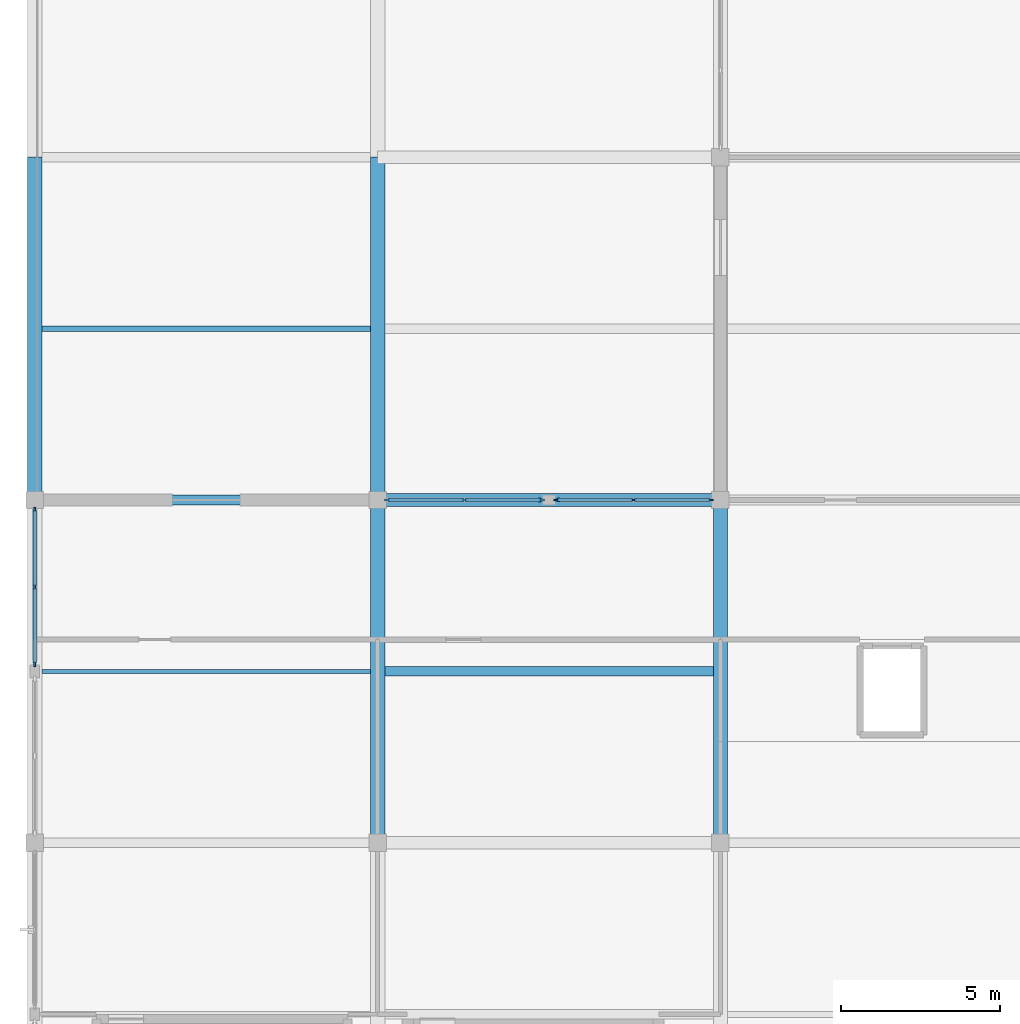
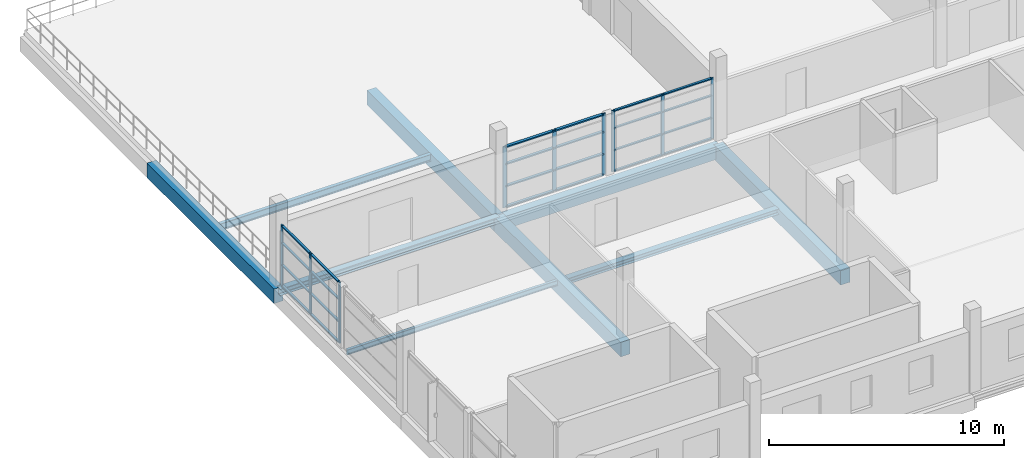
# One storey, part 4 of 15: 33 members, 9 beams, 3 elements without a shape of their own.
"""IFC4 building model written with IfcOpenShell, lengths in metres."""

from ifc_helpers import new_model, si_unit, direction, frame, origin, origin_2d, place, context, subcontext, project, spatial, rectangle, i_section, extrude, material, material_profile, profile_set, type_object, element, aggregate, save


model = new_model("IFC4")

# Units and contexts
model_context = context("Model", 3, precision=1e-05, world=origin(), true_north=direction((0.0, 1.0)))
body_context = subcontext(model_context, "Body", "Model", "MODEL_VIEW")
ifc_project = project(units=[si_unit("LENGTHUNIT", "METRE"), si_unit("AREAUNIT", "SQUARE_METRE"), si_unit("VOLUMEUNIT", "CUBIC_METRE"), si_unit("PLANEANGLEUNIT", "RADIAN"), si_unit("MASSUNIT", "GRAM", prefix="KILO")], contexts=[model_context])

# Site, building, storey
site_placement = place(None, origin())
site = spatial("IfcSite", under=ifc_project, at=site_placement, CompositionType="ELEMENT")
building_placement = place(site_placement, origin())
building = spatial("IfcBuilding", under=site, at=building_placement, Name="Zwinboog Wholesale Market", CompositionType="ELEMENT")
storey_placement = place(building_placement, frame((0.0, 0.0, 14.760009765625)))
storey = spatial("IfcBuildingStorey", under=building, at=storey_placement, Name="L03", CompositionType="ELEMENT", Elevation=14.760009765625)

# Beams
ifc_material_1 = material(Name="Precast concrete C45/55", Category="concrete")
ifc_material_profile_1 = material_profile(ifc_material_1, rectangle(XDim=0.449951171875, YDim=0.75, at=origin_2d()), Name="PC 450x750")
ifc_profile_set_1 = profile_set([ifc_material_profile_1], Name="Precast concrete C45/55")
beam_type_1 = type_object("IfcBeamType", Name="BT-04", PredefinedType="BEAM", material=ifc_profile_set_1)
for number, where, z_axis, x_axis, name in (
    (1, (140.39990234375, 10.800048828125, -0.6669921875), (0.0, 1.0, 0.0), (-1.0, 0.0, 0.0), "BG-04 (BMG-L03-1404-0108-1028)"),
    (2, (151.199951171875, 10.800048828125, -0.722900390625), (0.0, 1.0, 0.0), (-1.0, 0.0, 0.0), "BG-04 (BMG-L03-1512-0108-1030)"),
):
    element("IfcBeam", number, at=place(storey_placement, frame(where, z_axis=z_axis, x_axis=x_axis)), inside=storey, type_object=beam_type_1, Name=name, PredefinedType="BEAM", context=body_context, shape_type="SweptSolid", body=[
        extrude(rectangle(XDim=0.449951171875, YDim=0.75, at=origin_2d()), origin(), (0.0, 0.0, 1.0), 10.800048828125),
    ])
for number, where, z_axis, x_axis, name in (
    (3, (129.60009765625, 21.60009765625, -0.6669921875), (0.0, 1.0, 0.0), (-1.0, 0.0, 0.0), "BG-04 (BM-TER-L03-0213)"),
    (4, (140.39990234375, 21.60009765625, -0.6669921875), (0.0, 1.0, 0.0), (-1.0, 0.0, 0.0), "BG-04 (BM-TER-L03-0215)"),
):
    element("IfcBeam", number, at=place(storey_placement, frame(where, z_axis=z_axis, x_axis=x_axis)), inside=storey, type_object=beam_type_1, Name=name, PredefinedType="BEAM", context=body_context, shape_type="SweptSolid", body=[
        extrude(rectangle(XDim=0.449951171875, YDim=0.75, at=origin_2d()), origin(), (0.0, 0.0, 1.0), 10.7998046875),
    ])
ifc_material_profile_2 = material_profile(ifc_material_1, rectangle(XDim=0.39990234375, YDim=0.64990234375, at=origin_2d()), Name="PC 400x650")
ifc_profile_set_2 = profile_set([ifc_material_profile_2], Name="Precast concrete C45/55")
beam_type_2 = type_object("IfcBeamType", Name="BT-05", PredefinedType="BEAM", material=ifc_profile_set_2)
beam_1_placement = place(storey_placement, frame((140.39990234375, 21.60009765625, -0.673095703125), z_axis=(1.0, 0.0, 0.0), x_axis=(0.0, 1.0, 0.0)))
element("IfcBeam", 5, at=beam_1_placement, inside=storey, type_object=beam_type_2, Name="BG-05 (BMG-L03-1404-0216-1018)", PredefinedType="BEAM", context=body_context, shape_type="SweptSolid", body=[
    extrude(rectangle(XDim=0.39990234375, YDim=0.64990234375, at=origin_2d()), origin(), (0.0, 0.0, 1.0), 10.800048828125),
])
ifc_material_2 = material(Name="Steel S355", Category="steel")
ifc_material_profile_3 = material_profile(ifc_material_2, i_section(OverallWidth=0.300048828125, OverallDepth=0.340087890625, WebThickness=0.011962890625, FlangeThickness=0.021484375, FilletRadius=0.027099609375, at=origin_2d()), Name="HEB 340")
ifc_profile_set_3 = profile_set([ifc_material_profile_3], Name="Steel S355")
beam_type_3 = type_object("IfcBeamType", Name="BT-16", PredefinedType="BEAM", material=ifc_profile_set_3)
beam_2_placement = place(storey_placement, frame((129.60009765625, 21.60009765625, -0.4619140625), z_axis=(1.0, 0.0, 0.0), x_axis=(0.0, 1.0, 0.0)))
element("IfcBeam", 6, at=beam_2_placement, inside=storey, type_object=beam_type_3, Name="SB-03 (BMG-L03-1296-0216-1017)", PredefinedType="BEAM", context=body_context, shape_type="SweptSolid", body=[
    extrude(i_section(OverallWidth=0.300048828125, OverallDepth=0.340087890625, WebThickness=0.011962890625, FlangeThickness=0.021484375, FilletRadius=0.027099609375, at=origin_2d()), origin(), (0.0, 0.0, 1.0), 10.7998046875),
])
ifc_material_profile_4 = material_profile(ifc_material_2, i_section(OverallWidth=0.300048828125, OverallDepth=0.2900390625, WebThickness=0.008544921875, FlangeThickness=0.013916015625, FilletRadius=0.027099609375, at=origin_2d()), Name="HEA 300")
ifc_profile_set_4 = profile_set([ifc_material_profile_4], Name="Steel S355")
beam_type_4 = type_object("IfcBeamType", Name="BT-18", PredefinedType="JOIST", material=ifc_profile_set_4)
beam_3_placement = place(storey_placement, frame((140.625, 16.199951171875, -0.462890625), z_axis=(1.0, 0.0, 0.0), x_axis=(0.0, 1.0, 0.0)))
element("IfcBeam", 7, at=beam_3_placement, inside=storey, type_object=beam_type_4, Name="SJ-01 (BMG-L03-1406-0162-1044)", PredefinedType="JOIST", context=body_context, shape_type="SweptSolid", body=[
    extrude(i_section(OverallWidth=0.300048828125, OverallDepth=0.2900390625, WebThickness=0.008544921875, FlangeThickness=0.013916015625, FilletRadius=0.027099609375, at=origin_2d()), origin(), (0.0, 0.0, 1.0), 10.35009765625),
])
ifc_material_profile_5 = material_profile(ifc_material_2, i_section(OverallWidth=0.169921875, OverallDepth=0.360107421875, WebThickness=0.008056640625, FlangeThickness=0.0126953125, FilletRadius=0.01806640625, at=origin_2d()), Name="IPE 360")
ifc_profile_set_5 = profile_set([ifc_material_profile_5], Name="Steel S355")
beam_type_5 = type_object("IfcBeamType", Name="BT-20", PredefinedType="JOIST", material=ifc_profile_set_5)
beam_4_placement = place(storey_placement, frame((129.824951171875, 27.0, -0.466064453125), z_axis=(1.0, 0.0, 0.0), x_axis=(0.0, 1.0, 0.0)))
element("IfcBeam", 8, at=beam_4_placement, inside=storey, type_object=beam_type_5, Name="SJ-03 (BM-TER-L03-0217)", PredefinedType="JOIST", context=body_context, shape_type="SweptSolid", body=[
    extrude(i_section(OverallWidth=0.169921875, OverallDepth=0.360107421875, WebThickness=0.008056640625, FlangeThickness=0.0126953125, FilletRadius=0.01806640625, at=origin_2d()), origin(), (0.0, 0.0, 1.0), 10.35009765625),
])
ifc_material_profile_6 = material_profile(ifc_material_2, i_section(OverallWidth=0.135009765625, OverallDepth=0.27001953125, WebThickness=0.006591796875, FlangeThickness=0.01025390625, FilletRadius=0.014892578125, at=origin_2d()), Name="IPE 270")
ifc_profile_set_6 = profile_set([ifc_material_profile_6], Name="Steel S355")
beam_type_6 = type_object("IfcBeamType", Name="BT-21", PredefinedType="JOIST", material=ifc_profile_set_6)
beam_5_placement = place(storey_placement, frame((129.824951171875, 16.199951171875, -0.427001953125), z_axis=(1.0, 0.0, 0.0), x_axis=(0.0, 1.0, 0.0)))
element("IfcBeam", 9, at=beam_5_placement, inside=storey, type_object=beam_type_6, Name="SJ-04 (BMG-L03-1298-0162-1042)", PredefinedType="JOIST", context=body_context, shape_type="SweptSolid", body=[
    extrude(i_section(OverallWidth=0.135009765625, OverallDepth=0.27001953125, WebThickness=0.006591796875, FlangeThickness=0.01025390625, FilletRadius=0.014892578125, at=origin_2d()), origin(), (0.0, 0.0, 1.0), 10.35009765625),
])

# Curtain wall, members
ifc_material_3 = material(Name="Aluminium thermally broken curtain wall", Category="aluminium")
curtain_wall_type_1 = type_object("IfcCurtainWallType", Name="CWT-HALL-24", PredefinedType="USERDEFINED", material=ifc_material_3)
curtain_wall_1_placement = place(storey_placement, origin())
curtain_wall_1 = element("IfcCurtainWall", 10, at=curtain_wall_1_placement, inside=storey, type_object=curtain_wall_type_1, Name="CW-03 (CW-L03-171)", ObjectType="UNITIZED_CURTAIN_WALL", PredefinedType="USERDEFINED")
ifc_material_4 = material(Name="Aluminium EN AW-6060", Category="aluminium")
ifc_material_profile_7 = material_profile(ifc_material_4, rectangle(XDim=0.06494140625, YDim=0.179931640625, at=origin_2d()), Name="AL 65x180")
ifc_profile_set_7 = profile_set([ifc_material_profile_7], Name="Aluminium EN AW-6060")
member_type_1 = type_object("IfcMemberType", Name="CWM-65x180", PredefinedType="MULLION", material=ifc_profile_set_7)
member_1_placement = place(storey_placement, frame((140.702392578125, 21.60009765625, 0.0), z_axis=(0.0, 0.0, 1.0), x_axis=(0.0, 1.0, 0.0)))
member_1 = element("IfcMember", 11, at=member_1_placement, type_object=member_type_1, Name="CW-03 mullion 1", PredefinedType="MULLION", context=body_context, shape_type="SweptSolid", body=[
    extrude(rectangle(XDim=0.06494140625, YDim=0.179931640625, at=origin_2d()), origin(), (0.0, 0.0, 1.0), 3.169921875),
])
member_2_placement = place(storey_placement, frame((143.135009765625, 21.60009765625, 0.0), z_axis=(0.0, 0.0, 1.0), x_axis=(0.0, 1.0, 0.0)))
member_2 = element("IfcMember", 12, at=member_2_placement, type_object=member_type_1, Name="CW-03 mullion 2", PredefinedType="MULLION", context=body_context, shape_type="SweptSolid", body=[
    extrude(rectangle(XDim=0.06494140625, YDim=0.179931640625, at=origin_2d()), origin(), (0.0, 0.0, 1.0), 3.169921875),
])
member_3_placement = place(storey_placement, frame((145.5673828125, 21.60009765625, 0.0), z_axis=(0.0, 0.0, 1.0), x_axis=(0.0, 1.0, 0.0)))
member_3 = element("IfcMember", 13, at=member_3_placement, type_object=member_type_1, Name="CW-03 mullion 3", PredefinedType="MULLION", context=body_context, shape_type="SweptSolid", body=[
    extrude(rectangle(XDim=0.06494140625, YDim=0.179931640625, at=origin_2d()), origin(), (0.0, 0.0, 1.0), 3.169921875),
])

curtain_wall_type_2 = type_object("IfcCurtainWallType", Name="CWT-STALL-20", PredefinedType="USERDEFINED", material=ifc_material_3)
curtain_wall_2_placement = place(storey_placement, origin())
curtain_wall_2 = element("IfcCurtainWall", 14, at=curtain_wall_2_placement, inside=storey, type_object=curtain_wall_type_2, Name="CW-02 (CW-L03-170)", ObjectType="STOREFRONT_GLAZING", PredefinedType="USERDEFINED")
ifc_material_profile_8 = material_profile(ifc_material_4, rectangle(XDim=0.06005859375, YDim=0.14990234375, at=origin_2d()), Name="AL 60x150")
ifc_profile_set_8 = profile_set([ifc_material_profile_8], Name="Aluminium EN AW-6060")
member_type_2 = type_object("IfcMemberType", Name="CWM-60x150", PredefinedType="MULLION", material=ifc_profile_set_8)
member_4_placement = place(storey_placement, frame((129.60009765625, 16.429931640625, 0.0), z_axis=(0.0, 0.0, 1.0), x_axis=(-1.0, 0.0, 0.0)))
member_4 = element("IfcMember", 15, at=member_4_placement, type_object=member_type_2, Name="CW-02 mullion 1", PredefinedType="MULLION", context=body_context, shape_type="SweptSolid", body=[
    extrude(rectangle(XDim=0.06005859375, YDim=0.14990234375, at=origin_2d()), origin(), (0.0, 0.0, 1.0), 3.169921875),
])
member_5_placement = place(storey_placement, frame((129.60009765625, 18.864990234375, 0.0), z_axis=(0.0, 0.0, 1.0), x_axis=(-1.0, 0.0, 0.0)))
member_5 = element("IfcMember", 16, at=member_5_placement, type_object=member_type_2, Name="CW-02 mullion 2", PredefinedType="MULLION", context=body_context, shape_type="SweptSolid", body=[
    extrude(rectangle(XDim=0.06005859375, YDim=0.14990234375, at=origin_2d()), origin(), (0.0, 0.0, 1.0), 3.169921875),
])
member_6_placement = place(storey_placement, frame((129.60009765625, 21.300048828125, 0.0), z_axis=(0.0, 0.0, 1.0), x_axis=(-1.0, 0.0, 0.0)))
member_6 = element("IfcMember", 17, at=member_6_placement, type_object=member_type_2, Name="CW-02 mullion 3", PredefinedType="MULLION", context=body_context, shape_type="SweptSolid", body=[
    extrude(rectangle(XDim=0.06005859375, YDim=0.14990234375, at=origin_2d()), origin(), (0.0, 0.0, 1.0), 3.169921875),
])

curtain_wall_type_3 = type_object("IfcCurtainWallType", Name="CWT-GAL-16", PredefinedType="USERDEFINED", material=ifc_material_3)
curtain_wall_3_placement = place(storey_placement, origin())
curtain_wall_3 = element("IfcCurtainWall", 18, at=curtain_wall_3_placement, inside=storey, type_object=curtain_wall_type_3, Name="CW-04 (CW-L03-172)", ObjectType="UNITIZED_CURTAIN_WALL", PredefinedType="USERDEFINED")
member_7_placement = place(storey_placement, frame((146.030029296875, 21.60009765625, 0.0), z_axis=(0.0, 0.0, 1.0), x_axis=(0.0, 1.0, 0.0)))
member_7 = element("IfcMember", 19, at=member_7_placement, type_object=member_type_2, Name="CW-04 mullion 1", PredefinedType="MULLION", context=body_context, shape_type="SweptSolid", body=[
    extrude(rectangle(XDim=0.06005859375, YDim=0.14990234375, at=origin_2d()), origin(), (0.0, 0.0, 1.0), 3.169921875),
])
member_8_placement = place(storey_placement, frame((148.465087890625, 21.60009765625, 0.0), z_axis=(0.0, 0.0, 1.0), x_axis=(0.0, 1.0, 0.0)))
member_8 = element("IfcMember", 20, at=member_8_placement, type_object=member_type_2, Name="CW-04 mullion 2", PredefinedType="MULLION", context=body_context, shape_type="SweptSolid", body=[
    extrude(rectangle(XDim=0.06005859375, YDim=0.14990234375, at=origin_2d()), origin(), (0.0, 0.0, 1.0), 3.169921875),
])
member_9_placement = place(storey_placement, frame((150.89990234375, 21.60009765625, 0.0), z_axis=(0.0, 0.0, 1.0), x_axis=(0.0, 1.0, 0.0)))
member_9 = element("IfcMember", 21, at=member_9_placement, type_object=member_type_2, Name="CW-04 mullion 3", PredefinedType="MULLION", context=body_context, shape_type="SweptSolid", body=[
    extrude(rectangle(XDim=0.06005859375, YDim=0.14990234375, at=origin_2d()), origin(), (0.0, 0.0, 1.0), 3.169921875),
])

# Member
ifc_material_profile_9 = material_profile(ifc_material_4, rectangle(XDim=0.139892578125, YDim=0.06494140625, at=origin_2d()), Name="AL 65x140")
ifc_profile_set_9 = profile_set([ifc_material_profile_9], Name="Aluminium EN AW-6060")
member_type_3 = type_object("IfcMemberType", Name="CWT-65x140", PredefinedType="USERDEFINED", material=ifc_profile_set_9)
member_10_placement = place(storey_placement, frame((140.735107421875, 21.60009765625, 0.032470703125), z_axis=(1.0, 0.0, 0.0), x_axis=(0.0, 1.0, 0.0)))
member_10 = element("IfcMember", 22, at=member_10_placement, type_object=member_type_3, Name="CW-03 transom 1.1", ObjectType="TRANSOM", PredefinedType="USERDEFINED", context=body_context, shape_type="SweptSolid", body=[
    extrude(rectangle(XDim=0.139892578125, YDim=0.06494140625, at=origin_2d()), origin(), (0.0, 0.0, 1.0), 2.367431640625),
])

member_11_placement = place(storey_placement, frame((140.735107421875, 21.60009765625, 1.10009765625), z_axis=(1.0, 0.0, 0.0), x_axis=(0.0, 1.0, 0.0)))
member_11 = element("IfcMember", 23, at=member_11_placement, type_object=member_type_3, Name="CW-03 transom 1.2", ObjectType="TRANSOM", PredefinedType="USERDEFINED", context=body_context, shape_type="SweptSolid", body=[
    extrude(rectangle(XDim=0.139892578125, YDim=0.06494140625, at=origin_2d()), origin(), (0.0, 0.0, 1.0), 2.367431640625),
])

member_12_placement = place(storey_placement, frame((140.735107421875, 21.60009765625, 2.25), z_axis=(1.0, 0.0, 0.0), x_axis=(0.0, 1.0, 0.0)))
member_12 = element("IfcMember", 24, at=member_12_placement, type_object=member_type_3, Name="CW-03 transom 1.3", ObjectType="TRANSOM", PredefinedType="USERDEFINED", context=body_context, shape_type="SweptSolid", body=[
    extrude(rectangle(XDim=0.139892578125, YDim=0.06494140625, at=origin_2d()), origin(), (0.0, 0.0, 1.0), 2.367431640625),
])

member_13_placement = place(storey_placement, frame((140.735107421875, 21.60009765625, 3.137451171875), z_axis=(1.0, 0.0, 0.0), x_axis=(0.0, 1.0, 0.0)))
member_13 = element("IfcMember", 25, at=member_13_placement, type_object=member_type_3, Name="CW-03 transom 1.4", ObjectType="TRANSOM", PredefinedType="USERDEFINED", context=body_context, shape_type="SweptSolid", body=[
    extrude(rectangle(XDim=0.139892578125, YDim=0.06494140625, at=origin_2d()), origin(), (0.0, 0.0, 1.0), 2.367431640625),
])

member_14_placement = place(storey_placement, frame((143.16748046875, 21.60009765625, 0.032470703125), z_axis=(1.0, 0.0, 0.0), x_axis=(0.0, 1.0, 0.0)))
member_14 = element("IfcMember", 26, at=member_14_placement, type_object=member_type_3, Name="CW-03 transom 2.1", ObjectType="TRANSOM", PredefinedType="USERDEFINED", context=body_context, shape_type="SweptSolid", body=[
    extrude(rectangle(XDim=0.139892578125, YDim=0.06494140625, at=origin_2d()), origin(), (0.0, 0.0, 1.0), 2.367431640625),
])

member_15_placement = place(storey_placement, frame((143.16748046875, 21.60009765625, 1.10009765625), z_axis=(1.0, 0.0, 0.0), x_axis=(0.0, 1.0, 0.0)))
member_15 = element("IfcMember", 27, at=member_15_placement, type_object=member_type_3, Name="CW-03 transom 2.2", ObjectType="TRANSOM", PredefinedType="USERDEFINED", context=body_context, shape_type="SweptSolid", body=[
    extrude(rectangle(XDim=0.139892578125, YDim=0.06494140625, at=origin_2d()), origin(), (0.0, 0.0, 1.0), 2.367431640625),
])

member_16_placement = place(storey_placement, frame((143.16748046875, 21.60009765625, 2.25), z_axis=(1.0, 0.0, 0.0), x_axis=(0.0, 1.0, 0.0)))
member_16 = element("IfcMember", 28, at=member_16_placement, type_object=member_type_3, Name="CW-03 transom 2.3", ObjectType="TRANSOM", PredefinedType="USERDEFINED", context=body_context, shape_type="SweptSolid", body=[
    extrude(rectangle(XDim=0.139892578125, YDim=0.06494140625, at=origin_2d()), origin(), (0.0, 0.0, 1.0), 2.367431640625),
])

member_17_placement = place(storey_placement, frame((143.16748046875, 21.60009765625, 3.137451171875), z_axis=(1.0, 0.0, 0.0), x_axis=(0.0, 1.0, 0.0)))
member_17 = element("IfcMember", 29, at=member_17_placement, type_object=member_type_3, Name="CW-03 transom 2.4", ObjectType="TRANSOM", PredefinedType="USERDEFINED", context=body_context, shape_type="SweptSolid", body=[
    extrude(rectangle(XDim=0.139892578125, YDim=0.06494140625, at=origin_2d()), origin(), (0.0, 0.0, 1.0), 2.367431640625),
])

aggregate(curtain_wall_1, [member_1, member_2, member_3, member_10, member_11, member_12, member_13, member_14, member_15, member_16, member_17])

ifc_material_profile_10 = material_profile(ifc_material_4, rectangle(XDim=0.110107421875, YDim=0.06005859375, at=origin_2d()), Name="AL 60x110")
ifc_profile_set_10 = profile_set([ifc_material_profile_10], Name="Aluminium EN AW-6060")
member_type_4 = type_object("IfcMemberType", Name="CWT-60x110", PredefinedType="USERDEFINED", material=ifc_profile_set_10)
member_18_placement = place(storey_placement, frame((129.60009765625, 16.4599609375, 0.030029296875), z_axis=(0.0, 1.0, 0.0), x_axis=(-1.0, 0.0, 0.0)))
member_18 = element("IfcMember", 30, at=member_18_placement, type_object=member_type_4, Name="CW-02 transom 1.1", ObjectType="TRANSOM", PredefinedType="USERDEFINED", context=body_context, shape_type="SweptSolid", body=[
    extrude(rectangle(XDim=0.110107421875, YDim=0.06005859375, at=origin_2d()), origin(), (0.0, 0.0, 1.0), 2.375),
])

member_19_placement = place(storey_placement, frame((129.60009765625, 16.4599609375, 1.10009765625), z_axis=(0.0, 1.0, 0.0), x_axis=(-1.0, 0.0, 0.0)))
member_19 = element("IfcMember", 31, at=member_19_placement, type_object=member_type_4, Name="CW-02 transom 1.2", ObjectType="TRANSOM", PredefinedType="USERDEFINED", context=body_context, shape_type="SweptSolid", body=[
    extrude(rectangle(XDim=0.110107421875, YDim=0.06005859375, at=origin_2d()), origin(), (0.0, 0.0, 1.0), 2.375),
])

member_20_placement = place(storey_placement, frame((129.60009765625, 16.4599609375, 2.25), z_axis=(0.0, 1.0, 0.0), x_axis=(-1.0, 0.0, 0.0)))
member_20 = element("IfcMember", 32, at=member_20_placement, type_object=member_type_4, Name="CW-02 transom 1.3", ObjectType="TRANSOM", PredefinedType="USERDEFINED", context=body_context, shape_type="SweptSolid", body=[
    extrude(rectangle(XDim=0.110107421875, YDim=0.06005859375, at=origin_2d()), origin(), (0.0, 0.0, 1.0), 2.375),
])

member_21_placement = place(storey_placement, frame((129.60009765625, 16.4599609375, 3.139892578125), z_axis=(0.0, 1.0, 0.0), x_axis=(-1.0, 0.0, 0.0)))
member_21 = element("IfcMember", 33, at=member_21_placement, type_object=member_type_4, Name="CW-02 transom 1.4", ObjectType="TRANSOM", PredefinedType="USERDEFINED", context=body_context, shape_type="SweptSolid", body=[
    extrude(rectangle(XDim=0.110107421875, YDim=0.06005859375, at=origin_2d()), origin(), (0.0, 0.0, 1.0), 2.375),
])

member_22_placement = place(storey_placement, frame((129.60009765625, 18.89501953125, 0.030029296875), z_axis=(0.0, 1.0, 0.0), x_axis=(-1.0, 0.0, 0.0)))
member_22 = element("IfcMember", 34, at=member_22_placement, type_object=member_type_4, Name="CW-02 transom 2.1", ObjectType="TRANSOM", PredefinedType="USERDEFINED", context=body_context, shape_type="SweptSolid", body=[
    extrude(rectangle(XDim=0.110107421875, YDim=0.06005859375, at=origin_2d()), origin(), (0.0, 0.0, 1.0), 2.375),
])

member_23_placement = place(storey_placement, frame((129.60009765625, 18.89501953125, 1.10009765625), z_axis=(0.0, 1.0, 0.0), x_axis=(-1.0, 0.0, 0.0)))
member_23 = element("IfcMember", 35, at=member_23_placement, type_object=member_type_4, Name="CW-02 transom 2.2", ObjectType="TRANSOM", PredefinedType="USERDEFINED", context=body_context, shape_type="SweptSolid", body=[
    extrude(rectangle(XDim=0.110107421875, YDim=0.06005859375, at=origin_2d()), origin(), (0.0, 0.0, 1.0), 2.375),
])

member_24_placement = place(storey_placement, frame((129.60009765625, 18.89501953125, 2.25), z_axis=(0.0, 1.0, 0.0), x_axis=(-1.0, 0.0, 0.0)))
member_24 = element("IfcMember", 36, at=member_24_placement, type_object=member_type_4, Name="CW-02 transom 2.3", ObjectType="TRANSOM", PredefinedType="USERDEFINED", context=body_context, shape_type="SweptSolid", body=[
    extrude(rectangle(XDim=0.110107421875, YDim=0.06005859375, at=origin_2d()), origin(), (0.0, 0.0, 1.0), 2.375),
])

member_25_placement = place(storey_placement, frame((129.60009765625, 18.89501953125, 3.139892578125), z_axis=(0.0, 1.0, 0.0), x_axis=(-1.0, 0.0, 0.0)))
member_25 = element("IfcMember", 37, at=member_25_placement, type_object=member_type_4, Name="CW-02 transom 2.4", ObjectType="TRANSOM", PredefinedType="USERDEFINED", context=body_context, shape_type="SweptSolid", body=[
    extrude(rectangle(XDim=0.110107421875, YDim=0.06005859375, at=origin_2d()), origin(), (0.0, 0.0, 1.0), 2.375),
])

aggregate(curtain_wall_2, [member_4, member_5, member_6, member_18, member_19, member_20, member_21, member_22, member_23, member_24, member_25])

member_26_placement = place(storey_placement, frame((146.06005859375, 21.60009765625, 0.030029296875), z_axis=(1.0, 0.0, 0.0), x_axis=(0.0, 1.0, 0.0)))
member_26 = element("IfcMember", 38, at=member_26_placement, type_object=member_type_4, Name="CW-04 transom 1.1", ObjectType="TRANSOM", PredefinedType="USERDEFINED", context=body_context, shape_type="SweptSolid", body=[
    extrude(rectangle(XDim=0.110107421875, YDim=0.06005859375, at=origin_2d()), origin(), (0.0, 0.0, 1.0), 2.375),
])

member_27_placement = place(storey_placement, frame((146.06005859375, 21.60009765625, 1.10009765625), z_axis=(1.0, 0.0, 0.0), x_axis=(0.0, 1.0, 0.0)))
member_27 = element("IfcMember", 39, at=member_27_placement, type_object=member_type_4, Name="CW-04 transom 1.2", ObjectType="TRANSOM", PredefinedType="USERDEFINED", context=body_context, shape_type="SweptSolid", body=[
    extrude(rectangle(XDim=0.110107421875, YDim=0.06005859375, at=origin_2d()), origin(), (0.0, 0.0, 1.0), 2.375),
])

member_28_placement = place(storey_placement, frame((146.06005859375, 21.60009765625, 2.25), z_axis=(1.0, 0.0, 0.0), x_axis=(0.0, 1.0, 0.0)))
member_28 = element("IfcMember", 40, at=member_28_placement, type_object=member_type_4, Name="CW-04 transom 1.3", ObjectType="TRANSOM", PredefinedType="USERDEFINED", context=body_context, shape_type="SweptSolid", body=[
    extrude(rectangle(XDim=0.110107421875, YDim=0.06005859375, at=origin_2d()), origin(), (0.0, 0.0, 1.0), 2.375),
])

member_29_placement = place(storey_placement, frame((146.06005859375, 21.60009765625, 3.139892578125), z_axis=(1.0, 0.0, 0.0), x_axis=(0.0, 1.0, 0.0)))
member_29 = element("IfcMember", 41, at=member_29_placement, type_object=member_type_4, Name="CW-04 transom 1.4", ObjectType="TRANSOM", PredefinedType="USERDEFINED", context=body_context, shape_type="SweptSolid", body=[
    extrude(rectangle(XDim=0.110107421875, YDim=0.06005859375, at=origin_2d()), origin(), (0.0, 0.0, 1.0), 2.375),
])

member_30_placement = place(storey_placement, frame((148.4951171875, 21.60009765625, 0.030029296875), z_axis=(1.0, 0.0, 0.0), x_axis=(0.0, 1.0, 0.0)))
member_30 = element("IfcMember", 42, at=member_30_placement, type_object=member_type_4, Name="CW-04 transom 2.1", ObjectType="TRANSOM", PredefinedType="USERDEFINED", context=body_context, shape_type="SweptSolid", body=[
    extrude(rectangle(XDim=0.110107421875, YDim=0.06005859375, at=origin_2d()), origin(), (0.0, 0.0, 1.0), 2.375),
])

member_31_placement = place(storey_placement, frame((148.4951171875, 21.60009765625, 1.10009765625), z_axis=(1.0, 0.0, 0.0), x_axis=(0.0, 1.0, 0.0)))
member_31 = element("IfcMember", 43, at=member_31_placement, type_object=member_type_4, Name="CW-04 transom 2.2", ObjectType="TRANSOM", PredefinedType="USERDEFINED", context=body_context, shape_type="SweptSolid", body=[
    extrude(rectangle(XDim=0.110107421875, YDim=0.06005859375, at=origin_2d()), origin(), (0.0, 0.0, 1.0), 2.375),
])

member_32_placement = place(storey_placement, frame((148.4951171875, 21.60009765625, 2.25), z_axis=(1.0, 0.0, 0.0), x_axis=(0.0, 1.0, 0.0)))
member_32 = element("IfcMember", 44, at=member_32_placement, type_object=member_type_4, Name="CW-04 transom 2.3", ObjectType="TRANSOM", PredefinedType="USERDEFINED", context=body_context, shape_type="SweptSolid", body=[
    extrude(rectangle(XDim=0.110107421875, YDim=0.06005859375, at=origin_2d()), origin(), (0.0, 0.0, 1.0), 2.375),
])

member_33_placement = place(storey_placement, frame((148.4951171875, 21.60009765625, 3.139892578125), z_axis=(1.0, 0.0, 0.0), x_axis=(0.0, 1.0, 0.0)))
member_33 = element("IfcMember", 45, at=member_33_placement, type_object=member_type_4, Name="CW-04 transom 2.4", ObjectType="TRANSOM", PredefinedType="USERDEFINED", context=body_context, shape_type="SweptSolid", body=[
    extrude(rectangle(XDim=0.110107421875, YDim=0.06005859375, at=origin_2d()), origin(), (0.0, 0.0, 1.0), 2.375),
])

aggregate(curtain_wall_3, [member_7, member_8, member_9, member_26, member_27, member_28, member_29, member_30, member_31, member_32, member_33])

save(model, "model.ifc")
